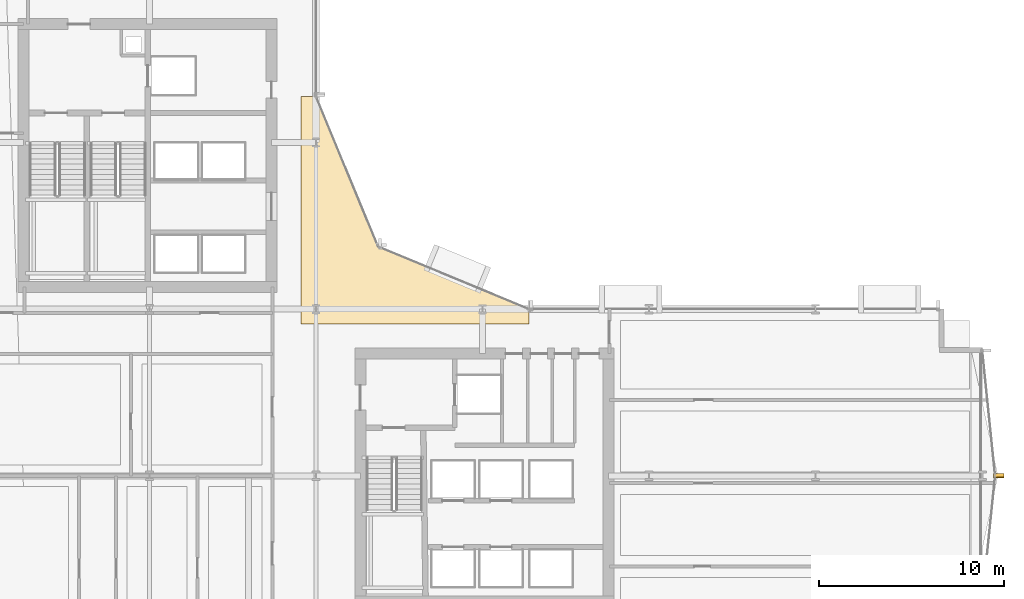
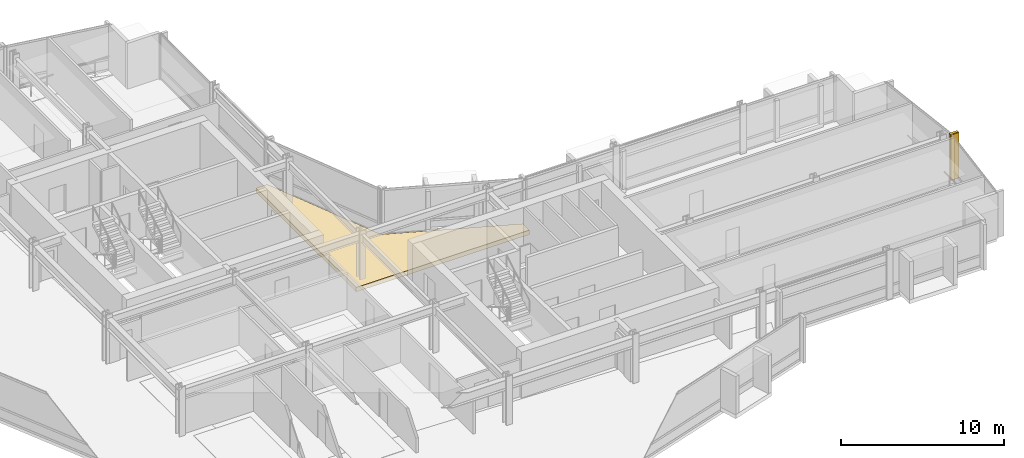
# One storey, part 34 of 34: 3 coverings.
"""IFC4 building model written with IfcOpenShell, lengths in metres."""

from ifc_helpers import new_model, si_unit, direction, frame, origin, origin_2d, place, context, subcontext, project, spatial, polyline, rectangle, outline, extrude, material, layer, layer_set, type_object, element, save


model = new_model("IFC4")

# Units and contexts
model_context = context("Model", 3, precision=1e-05, world=origin(), true_north=direction((0.0, 1.0)))
body_context = subcontext(model_context, "Body", "Model", "MODEL_VIEW")
ifc_project = project(units=[si_unit("LENGTHUNIT", "METRE"), si_unit("AREAUNIT", "SQUARE_METRE"), si_unit("VOLUMEUNIT", "CUBIC_METRE"), si_unit("PLANEANGLEUNIT", "RADIAN"), si_unit("MASSUNIT", "GRAM", prefix="KILO")], contexts=[model_context])

# Site, building, storey
site_placement = place(None, origin())
site = spatial("IfcSite", under=ifc_project, at=site_placement, CompositionType="ELEMENT")
building_placement = place(site_placement, origin())
building = spatial("IfcBuilding", under=site, at=building_placement, Name="Solvaryn Broadcast Tower", CompositionType="ELEMENT")
storey_placement = place(building_placement, frame((0.0, 0.0, 54.5)))
storey = spatial("IfcBuildingStorey", under=building, at=storey_placement, Name="L12", CompositionType="ELEMENT", Elevation=54.5)

# Coverings
ifc_material_1 = material(Name="Extruded Architectural Terracotta Fin", Category="masonry")
ifc_layer_1 = layer(ifc_material_1, 0.179931640625)
ifc_layer_set_1 = layer_set([ifc_layer_1], Name="CV-TC-FIN")
covering_type_1 = type_object("IfcCoveringType", Name="CV-TC-FIN", PredefinedType="USERDEFINED", material=ifc_layer_set_1)
for number, where, z_axis, x_axis, name in (
    (1, (63.884521484375, 18.02978515625, 0.0), (0.0, 0.0, 1.0), (1.0, 0.0, 0.0), "L12 Terracotta Vertical Fin FIN-L12-ET1-M01"),
    (2, (63.884521484375, 17.97021484375, 0.0), (0.0, 0.0, 1.0), (1.0, 0.0, 0.0), "L12 Terracotta Vertical Fin FIN-L12-ET2-M00"),
):
    element("IfcCovering", number, at=place(storey_placement, frame(where, z_axis=z_axis, x_axis=x_axis)), inside=storey, type_object=covering_type_1, Name=name, ObjectType="FIN", PredefinedType="USERDEFINED", context=body_context, shape_type="SweptSolid", body=[
        extrude(rectangle(XDim=0.580078125, YDim=0.179931640625, at=origin_2d()), origin(), (0.0, 0.0, 1.0), 3.419921875),
    ])
ifc_material_2 = material(Name="Sculpted Architectural Terracotta Wave Fascia", Category="masonry")
ifc_layer_2 = layer(ifc_material_2, 0.340087890625)
ifc_layer_set_2 = layer_set([ifc_layer_2], Name="CV-WAVE-TRAY")
covering_type_2 = type_object("IfcCoveringType", Name="CV-WAVE-TRAY", PredefinedType="CLADDING", material=ifc_layer_set_2)
covering_placement = place(storey_placement, frame((0.0, 0.0, -0.300048828125)))
element("IfcCovering", 3, at=covering_placement, inside=storey, type_object=covering_type_2, Name="L12 Concave Canyon Floor Apron", PredefinedType="CLADDING", context=body_context, shape_type="SweptSolid", body=[
    extrude(outline(polyline([(26.199951171875, 26.199951171875), (38.5, 26.199951171875), (38.5, 27.0), (30.367919921875, 30.367919921875), (27.0, 38.5), (26.199951171875, 38.5), (26.199951171875, 26.199951171875)])), origin(), (0.0, 0.0, 1.0), 0.330078125),
])

save(model, "model.ifc")
